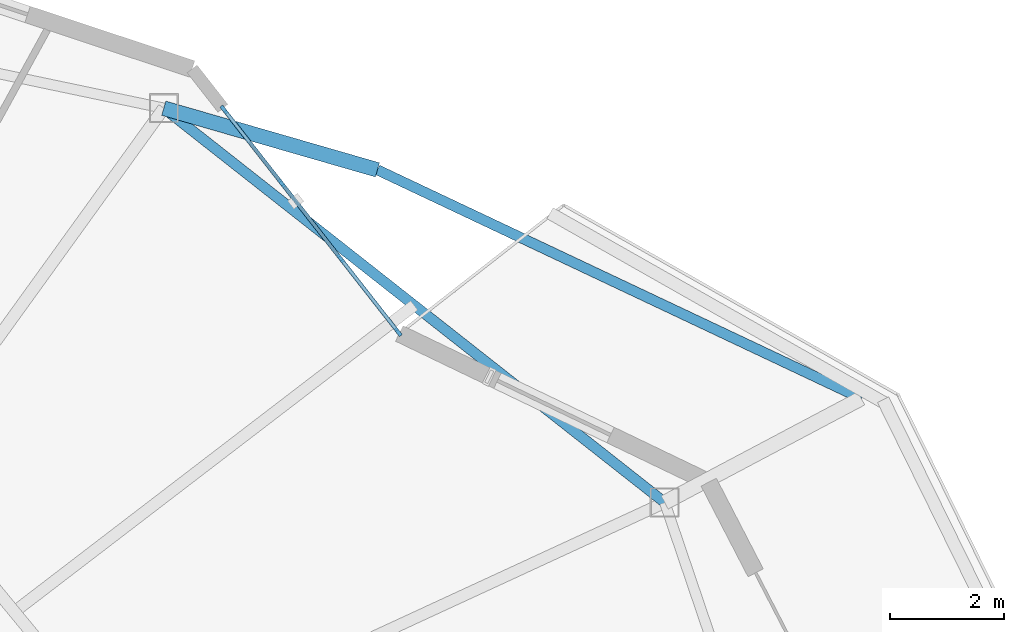
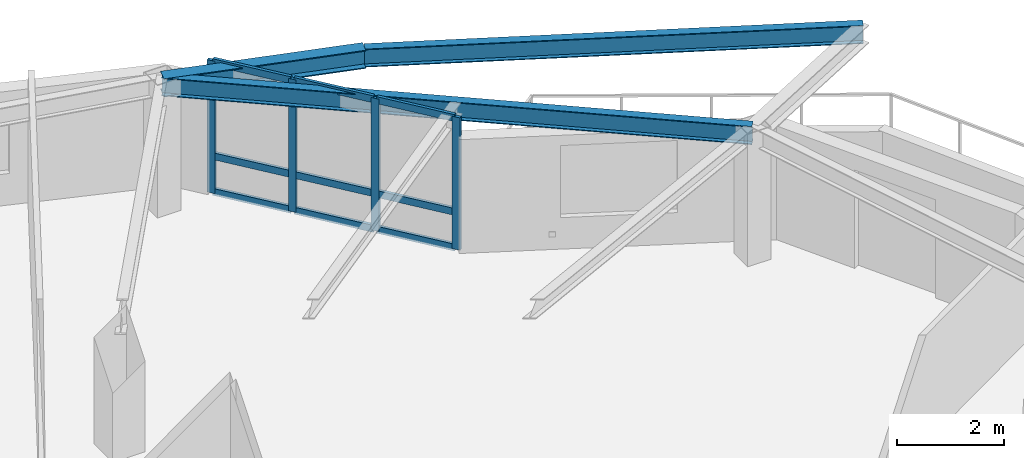
# One storey, part 3 of 12: 13 members, 3 beams, 1 element without a shape of its own.
"""IFC4 building model written with IfcOpenShell, lengths in metres."""

from ifc_helpers import new_model, si_unit, direction, frame, origin, origin_2d, place, context, subcontext, project, spatial, rectangle, i_section, extrude, material, layer, layer_set, material_profile, profile_set, type_object, element, aggregate, save


model = new_model("IFC4")

# Units and contexts
model_context = context("Model", 3, precision=1e-05, world=origin(), true_north=direction((0.0, 1.0)))
body_context = subcontext(model_context, "Body", "Model", "MODEL_VIEW")
ifc_project = project(units=[si_unit("LENGTHUNIT", "METRE"), si_unit("AREAUNIT", "SQUARE_METRE"), si_unit("VOLUMEUNIT", "CUBIC_METRE"), si_unit("PLANEANGLEUNIT", "RADIAN"), si_unit("MASSUNIT", "GRAM", prefix="KILO")], contexts=[model_context])

# Site, building, storey
site_placement = place(None, origin())
site = spatial("IfcSite", under=ifc_project, at=site_placement, CompositionType="ELEMENT")
building_placement = place(site_placement, origin())
building = spatial("IfcBuilding", under=site, at=building_placement, Name="Kolvaren Gate Tower and Convention Centre", CompositionType="ELEMENT")
storey_placement = place(building_placement, frame((0.0, 0.0, 199.699951171875)))
storey = spatial("IfcBuildingStorey", under=building, at=storey_placement, Name="L52", CompositionType="ELEMENT", Elevation=199.699951171875)

# Curtain wall, members
ifc_material_1 = material(Name="Anodized Architectural Aluminium Alloy 6063-T6", Category="aluminium")
ifc_layer = layer(ifc_material_1, 0.159912109375)
ifc_layer_set = layer_set([ifc_layer], Name="Anodized Architectural Aluminium Alloy 6063-T6")
curtain_wall_type = type_object("IfcCurtainWallType", Name="CW-RES-UNIT", PredefinedType="NOTDEFINED", material=ifc_layer_set)
curtain_wall_placement = place(storey_placement, origin())
curtain_wall = element("IfcCurtainWall", 1, at=curtain_wall_placement, inside=storey, type_object=curtain_wall_type, Name="Tower L52 Unitised Curtain Wall CW-RES-UNIT Bay 03", PredefinedType="NOTDEFINED")
ifc_material_profile_1 = material_profile(ifc_material_1, rectangle(XDim=0.06494140625, YDim=0.159912109375, at=origin_2d()), Name="CW-MEM-MUL-160")
ifc_profile_set_1 = profile_set([ifc_material_profile_1], Name="Anodized Architectural Aluminium Alloy 6063-T6")
member_type_1 = type_object("IfcMemberType", Name="CW-MEM-MUL-160", PredefinedType="MULLION", material=ifc_profile_set_1)
member_1_placement = place(storey_placement, frame((43.06005859375, 43.431884765625, 0.0), z_axis=(0.0, 0.0, 1.0), x_axis=(0.787404459493, 0.616436709784, 0.0)))
member_1 = element("IfcMember", 2, at=member_1_placement, type_object=member_type_1, Name="CW-04 mullion 1", PredefinedType="MULLION", context=body_context, shape_type="SweptSolid", body=[
    extrude(rectangle(XDim=0.06494140625, YDim=0.159912109375, at=origin_2d()), origin(), (0.0, 0.0, 1.0), 3.030029296875),
])
member_2_placement = place(storey_placement, frame((44.07080078125, 42.140869140625, 0.0), z_axis=(0.0, 0.0, 1.0), x_axis=(0.787404459493, 0.616436709784, 0.0)))
member_2 = element("IfcMember", 3, at=member_2_placement, type_object=member_type_1, Name="CW-04 mullion 2", PredefinedType="MULLION", context=body_context, shape_type="SweptSolid", body=[
    extrude(rectangle(XDim=0.06494140625, YDim=0.159912109375, at=origin_2d()), origin(), (0.0, 0.0, 1.0), 3.030029296875),
])
member_3_placement = place(storey_placement, frame((45.1015625, 40.823974609375, 0.0), z_axis=(0.0, 0.0, 1.0), x_axis=(0.787404459493, 0.616436709784, 0.0)))
member_3 = element("IfcMember", 4, at=member_3_placement, type_object=member_type_1, Name="CW-04 mullion 3", PredefinedType="MULLION", context=body_context, shape_type="SweptSolid", body=[
    extrude(rectangle(XDim=0.06494140625, YDim=0.159912109375, at=origin_2d()), origin(), (0.0, 0.0, 1.0), 3.030029296875),
])
member_4_placement = place(storey_placement, frame((46.112548828125, 39.532958984375, 0.0), z_axis=(0.0, 0.0, 1.0), x_axis=(0.787404459493, 0.616436709784, 0.0)))
member_4 = element("IfcMember", 5, at=member_4_placement, type_object=member_type_1, Name="CW-04 mullion 4", PredefinedType="MULLION", context=body_context, shape_type="SweptSolid", body=[
    extrude(rectangle(XDim=0.06494140625, YDim=0.159912109375, at=origin_2d()), origin(), (0.0, 0.0, 1.0), 3.030029296875),
])
ifc_material_profile_2 = material_profile(ifc_material_1, rectangle(XDim=0.06494140625, YDim=0.159912109375, at=origin_2d()), Name="CW-MEM-TRN-160")
ifc_profile_set_2 = profile_set([ifc_material_profile_2], Name="Anodized Architectural Aluminium Alloy 6063-T6")
member_type_2 = type_object("IfcMemberType", Name="CW-MEM-TRN-160", PredefinedType="USERDEFINED", material=ifc_profile_set_2)
member_5_placement = place(storey_placement, frame((43.080078125, 43.40625, 0.032470703125), z_axis=(0.616416943475, -0.787419933579, 0.0), x_axis=(0.787419933579, 0.616416943475, 0.0)))
member_5 = element("IfcMember", 6, at=member_5_placement, type_object=member_type_2, Name="CW-04 transom 1.1", ObjectType="TRANSOM", PredefinedType="USERDEFINED", context=body_context, shape_type="SweptSolid", body=[
    extrude(rectangle(XDim=0.06494140625, YDim=0.159912109375, at=origin_2d()), origin(), (0.0, 0.0, 1.0), 1.57470703125),
])
member_6_placement = place(storey_placement, frame((43.080078125, 43.40625, 0.85009765625), z_axis=(0.616416943475, -0.787419933579, 0.0), x_axis=(0.787419933579, 0.616416943475, 0.0)))
member_6 = element("IfcMember", 7, at=member_6_placement, type_object=member_type_2, Name="CW-04 transom 1.2", ObjectType="TRANSOM", PredefinedType="USERDEFINED", context=body_context, shape_type="SweptSolid", body=[
    extrude(rectangle(XDim=0.06494140625, YDim=0.159912109375, at=origin_2d()), origin(), (0.0, 0.0, 1.0), 1.57470703125),
])
member_7_placement = place(storey_placement, frame((43.080078125, 43.40625, 2.99755859375), z_axis=(0.616416943475, -0.787419933579, 0.0), x_axis=(0.787419933579, 0.616416943475, 0.0)))
member_7 = element("IfcMember", 8, at=member_7_placement, type_object=member_type_2, Name="CW-04 transom 1.3", ObjectType="TRANSOM", PredefinedType="USERDEFINED", context=body_context, shape_type="SweptSolid", body=[
    extrude(rectangle(XDim=0.06494140625, YDim=0.159912109375, at=origin_2d()), origin(), (0.0, 0.0, 1.0), 1.57470703125),
])
member_8_placement = place(storey_placement, frame((44.0908203125, 42.115234375, 0.032470703125), z_axis=(0.616398363045, -0.787434478567, 0.0), x_axis=(0.787434478567, 0.616398363045, 0.0)))
member_8 = element("IfcMember", 9, at=member_8_placement, type_object=member_type_2, Name="CW-04 transom 2.1", ObjectType="TRANSOM", PredefinedType="USERDEFINED", context=body_context, shape_type="SweptSolid", body=[
    extrude(rectangle(XDim=0.06494140625, YDim=0.159912109375, at=origin_2d()), origin(), (0.0, 0.0, 1.0), 1.607177734375),
])
member_9_placement = place(storey_placement, frame((44.0908203125, 42.115234375, 0.85009765625), z_axis=(0.616398363045, -0.787434478567, 0.0), x_axis=(0.787434478567, 0.616398363045, 0.0)))
member_9 = element("IfcMember", 10, at=member_9_placement, type_object=member_type_2, Name="CW-04 transom 2.2", ObjectType="TRANSOM", PredefinedType="USERDEFINED", context=body_context, shape_type="SweptSolid", body=[
    extrude(rectangle(XDim=0.06494140625, YDim=0.159912109375, at=origin_2d()), origin(), (0.0, 0.0, 1.0), 1.607177734375),
])
member_10_placement = place(storey_placement, frame((44.0908203125, 42.115234375, 2.99755859375), z_axis=(0.616398363045, -0.787434478567, 0.0), x_axis=(0.787434478567, 0.616398363045, 0.0)))
member_10 = element("IfcMember", 11, at=member_10_placement, type_object=member_type_2, Name="CW-04 transom 2.3", ObjectType="TRANSOM", PredefinedType="USERDEFINED", context=body_context, shape_type="SweptSolid", body=[
    extrude(rectangle(XDim=0.06494140625, YDim=0.159912109375, at=origin_2d()), origin(), (0.0, 0.0, 1.0), 1.607177734375),
])
member_11_placement = place(storey_placement, frame((45.12158203125, 40.79833984375, 0.032470703125), z_axis=(0.616588309904, -0.7872857525, 0.0), x_axis=(0.7872857525, 0.616588309904, 0.0)))
member_11 = element("IfcMember", 12, at=member_11_placement, type_object=member_type_2, Name="CW-04 transom 3.1", ObjectType="TRANSOM", PredefinedType="USERDEFINED", context=body_context, shape_type="SweptSolid", body=[
    extrude(rectangle(XDim=0.06494140625, YDim=0.159912109375, at=origin_2d()), origin(), (0.0, 0.0, 1.0), 1.57470703125),
])
member_12_placement = place(storey_placement, frame((45.12158203125, 40.79833984375, 0.85009765625), z_axis=(0.616588309904, -0.7872857525, 0.0), x_axis=(0.7872857525, 0.616588309904, 0.0)))
member_12 = element("IfcMember", 13, at=member_12_placement, type_object=member_type_2, Name="CW-04 transom 3.2", ObjectType="TRANSOM", PredefinedType="USERDEFINED", context=body_context, shape_type="SweptSolid", body=[
    extrude(rectangle(XDim=0.06494140625, YDim=0.159912109375, at=origin_2d()), origin(), (0.0, 0.0, 1.0), 1.57470703125),
])
member_13_placement = place(storey_placement, frame((45.12158203125, 40.79833984375, 2.99755859375), z_axis=(0.616588309904, -0.7872857525, 0.0), x_axis=(0.7872857525, 0.616588309904, 0.0)))
member_13 = element("IfcMember", 14, at=member_13_placement, type_object=member_type_2, Name="CW-04 transom 3.3", ObjectType="TRANSOM", PredefinedType="USERDEFINED", context=body_context, shape_type="SweptSolid", body=[
    extrude(rectangle(XDim=0.06494140625, YDim=0.159912109375, at=origin_2d()), origin(), (0.0, 0.0, 1.0), 1.57470703125),
])
aggregate(curtain_wall, [member_1, member_2, member_3, member_4, member_5, member_6, member_7, member_8, member_9, member_10, member_11, member_12, member_13])

# Beams
ifc_material_2 = material(Name="Structural steel ASTM A992 Grade 345 MPa", Category="steel")
ifc_material_profile_3 = material_profile(ifc_material_2, i_section(OverallWidth=0.260009765625, OverallDepth=0.419921875, WebThickness=0.013427734375, FlangeThickness=0.0224609375, at=origin_2d()), Name="W410X132")
ifc_profile_set_3 = profile_set([ifc_material_profile_3], Name="Structural steel ASTM A992 Grade 345 MPa")
beam_type_1 = type_object("IfcBeamType", Name="STR-BM-W410X132", PredefinedType="BEAM", material=ifc_profile_set_3)
beam_1_placement = place(storey_placement, frame((42.002685546875, 43.4580078125, 2.820556640625), z_axis=(0.960795374216, -0.277258451421, 0.0), x_axis=(0.277258451421, 0.960795374216, 0.0)))
element("IfcBeam", 15, at=beam_1_placement, inside=storey, type_object=beam_type_1, Name="Tower L53 Planted Balcony Outrigger Cantilever BC-1B", PredefinedType="BEAM", context=body_context, shape_type="SweptSolid", body=[
    extrude(i_section(OverallWidth=0.260009765625, OverallDepth=0.419921875, WebThickness=0.013427734375, FlangeThickness=0.0224609375, at=origin_2d()), origin(), (0.0, 0.0, 1.0), 3.89990234375),
])
ifc_material_profile_4 = material_profile(ifc_material_2, i_section(OverallWidth=0.180908203125, OverallDepth=0.4169921875, WebThickness=0.010986328125, FlangeThickness=0.018310546875, at=origin_2d()), Name="W410X85")
ifc_profile_set_4 = profile_set([ifc_material_profile_4], Name="Structural steel ASTM A992 Grade 345 MPa")
beam_type_2 = type_object("IfcBeamType", Name="STR-SP-W410X85", PredefinedType="SPANDREL", material=ifc_profile_set_4)
beam_2_placement = place(storey_placement, frame((50.787353515625, 36.543701171875, 2.821533203125), z_axis=(-0.78579365551, 0.618488747643, 0.0), x_axis=(-0.618488747643, -0.78579365551, 0.0)))
element("IfcBeam", 16, at=beam_2_placement, inside=storey, type_object=beam_type_2, Name="Tower L52 Perimeter Spandrel Beam SP-02", PredefinedType="SPANDREL", context=body_context, shape_type="SweptSolid", body=[
    extrude(i_section(OverallWidth=0.180908203125, OverallDepth=0.4169921875, WebThickness=0.010986328125, FlangeThickness=0.018310546875, at=origin_2d()), origin(), (0.0, 0.0, 1.0), 11.179443359375),
])
beam_3_placement = place(storey_placement, frame((54.2333984375, 38.36962890625, 2.822021484375), z_axis=(-0.90421096583, 0.427086091173, 0.0), x_axis=(-0.427086091173, -0.90421096583, 0.0)))
element("IfcBeam", 17, at=beam_3_placement, inside=storey, type_object=beam_type_2, Name="Tower L53 Planted Balcony Header Tie Beam BT-1", PredefinedType="SPANDREL", context=body_context, shape_type="SweptSolid", body=[
    extrude(i_section(OverallWidth=0.180908203125, OverallDepth=0.4169921875, WebThickness=0.010986328125, FlangeThickness=0.018310546875, at=origin_2d()), origin(), (0.0, 0.0, 1.0), 9.38232421875),
])

save(model, "model.ifc")
